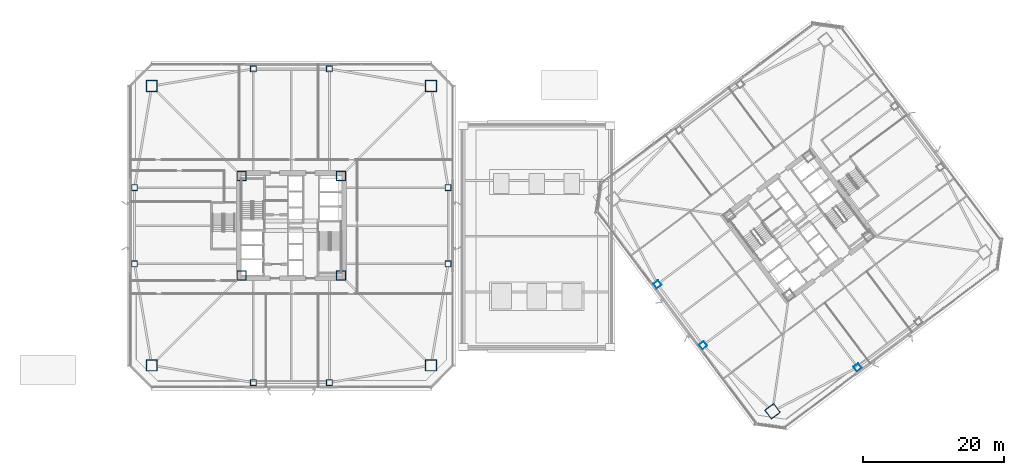
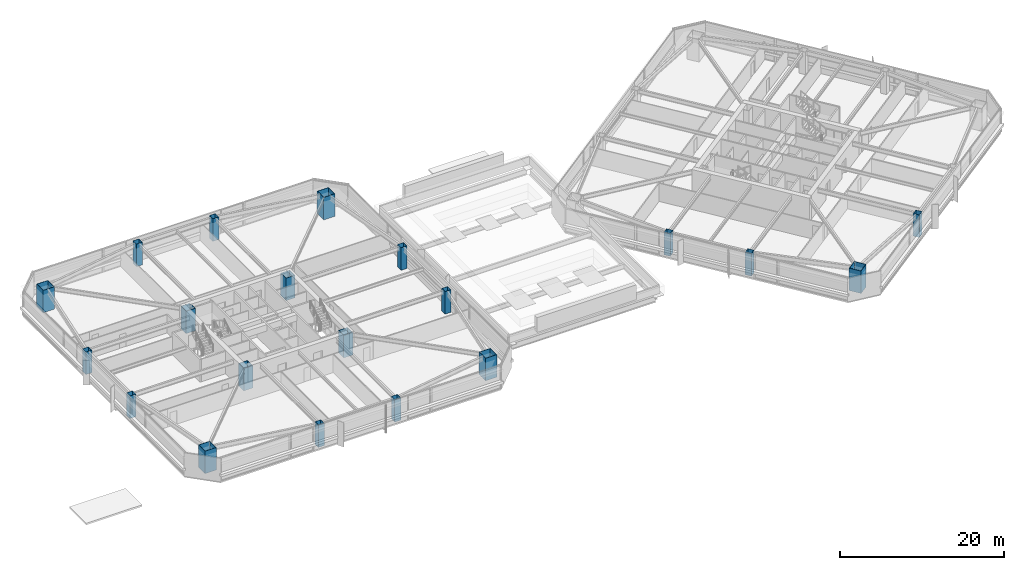
# One storey, part 1 of 62: 20 columns.
"""IFC4 building model written with IfcOpenShell, lengths in metres."""

from ifc_helpers import new_model, si_unit, direction, frame, origin, origin_2d, place, context, subcontext, project, spatial, hollow_rectangle, extrude, material, material_profile, profile_set, type_object, element, save


model = new_model("IFC4")

# Units and contexts
model_context = context("Model", 3, precision=1e-05, world=origin(), true_north=direction((0.0, 1.0)))
body_context = subcontext(model_context, "Body", "Model", "MODEL_VIEW")
ifc_project = project(units=[si_unit("LENGTHUNIT", "METRE"), si_unit("AREAUNIT", "SQUARE_METRE"), si_unit("VOLUMEUNIT", "CUBIC_METRE"), si_unit("PLANEANGLEUNIT", "RADIAN"), si_unit("MASSUNIT", "GRAM", prefix="KILO")], contexts=[model_context])

# Site, building, storey
site_placement = place(None, origin())
site = spatial("IfcSite", under=ifc_project, at=site_placement, CompositionType="ELEMENT")
building_placement = place(site_placement, origin())
building = spatial("IfcBuilding", under=site, at=building_placement, Name="Tashvorn Skyway Center", CompositionType="ELEMENT")
storey_placement = place(building_placement, frame((0.0, 0.0, 28.14990234375)))
storey = spatial("IfcBuildingStorey", under=building, at=storey_placement, Name="L06", CompositionType="ELEMENT", Elevation=28.14990234375)

# Columns
ifc_material = material(Name="Steel ASTM A572 Grade 50", Category="steel")
ifc_material_profile_1 = material_profile(ifc_material, hollow_rectangle(XDim=1.300048828125, YDim=1.300048828125, WallThickness=0.050048828125, at=origin_2d()), Name="BOX1300x1300x50")
ifc_profile_set_1 = profile_set([ifc_material_profile_1], Name="Steel ASTM A572 Grade 50")
column_type_1 = type_object("IfcColumnType", Name="COL-BOX1300x1300x50", PredefinedType="COLUMN", material=ifc_profile_set_1)
for number, where, z_axis, x_axis, name in (
    (1, (34.949951171875, 24.949951171875, 0.0), (0.0, 0.0, 1.0), (1.0, 0.0, 0.0), "Tower 1 L06 Core Corner Column CC-SW"),
    (2, (49.050048828125, 24.949951171875, 0.0), (0.0, 0.0, 1.0), (1.0, 0.0, 0.0), "Tower 1 L06 Core Corner Column CC-SE"),
    (3, (49.050048828125, 39.050048828125, 0.0), (0.0, 0.0, 1.0), (1.0, 0.0, 0.0), "Tower 1 L06 Core Corner Column CC-NE"),
    (4, (34.949951171875, 39.050048828125, 0.0), (0.0, 0.0, 1.0), (1.0, 0.0, 0.0), "Tower 1 L06 Core Corner Column CC-NW"),
):
    element("IfcColumn", number, at=place(storey_placement, frame(where, z_axis=z_axis, x_axis=x_axis)), inside=storey, type_object=column_type_1, Name=name, PredefinedType="COLUMN", context=body_context, shape_type="SweptSolid", body=[
        extrude(hollow_rectangle(XDim=1.300048828125, YDim=1.300048828125, WallThickness=0.050048828125, at=origin_2d()), origin(), (0.0, 0.0, 1.0), 3.35009765625),
    ])
ifc_material_profile_2 = material_profile(ifc_material, hollow_rectangle(XDim=1.60009765625, YDim=1.60009765625, WallThickness=0.06005859375, at=origin_2d()), Name="BOX1600x1600x60")
ifc_profile_set_2 = profile_set([ifc_material_profile_2], Name="Steel ASTM A572 Grade 50")
column_type_2 = type_object("IfcColumnType", Name="COL-BOX1600x1600x60", PredefinedType="COLUMN", material=ifc_profile_set_2)
for number, where, z_axis, x_axis, name in (
    (5, (22.199951171875, 12.199951171875, 0.0), (0.0, 0.0, 1.0), (1.0, 0.0, 0.0), "Tower 1 L06 Mega-Column MC-SW"),
    (6, (61.800048828125, 12.199951171875, 0.0), (0.0, 0.0, 1.0), (1.0, 0.0, 0.0), "Tower 1 L06 Mega-Column MC-SE"),
    (7, (61.800048828125, 51.800048828125, 0.0), (0.0, 0.0, 1.0), (1.0, 0.0, 0.0), "Tower 1 L06 Mega-Column MC-NE"),
    (8, (22.199951171875, 51.800048828125, 0.0), (0.0, 0.0, 1.0), (1.0, 0.0, 0.0), "Tower 1 L06 Mega-Column MC-NW"),
    (9, (110.239990234375, 5.679931640625, 0.0), (0.0, 0.0, 1.0), (0.799999996291, 0.600000004945, 0.0), "Tower 2 L06 Mega-Column MC-SW"),
):
    element("IfcColumn", number, at=place(storey_placement, frame(where, z_axis=z_axis, x_axis=x_axis)), inside=storey, type_object=column_type_2, Name=name, PredefinedType="COLUMN", context=body_context, shape_type="SweptSolid", body=[
        extrude(hollow_rectangle(XDim=1.60009765625, YDim=1.60009765625, WallThickness=0.06005859375, at=origin_2d()), origin(), (0.0, 0.0, 1.0), 3.35009765625),
    ])
ifc_material_profile_3 = material_profile(ifc_material, hollow_rectangle(XDim=0.85009765625, YDim=0.85009765625, WallThickness=0.034912109375, at=origin_2d()), Name="BOX850x850x35")
ifc_profile_set_3 = profile_set([ifc_material_profile_3], Name="Steel ASTM A572 Grade 50")
column_type_3 = type_object("IfcColumnType", Name="COL-BOX850x850x35", PredefinedType="COLUMN", material=ifc_profile_set_3)
for number, where, z_axis, x_axis, name in (
    (10, (36.60009765625, 9.75, 0.0), (0.0, 0.0, 1.0), (1.0, 0.0, 0.0), "Tower 1 L06 Perimeter Column FC-S1"),
    (11, (47.39990234375, 9.75, 0.0), (0.0, 0.0, 1.0), (1.0, 0.0, 0.0), "Tower 1 L06 Perimeter Column FC-S2"),
    (12, (64.25, 26.60009765625, 0.0), (0.0, 0.0, 1.0), (1.0, 0.0, 0.0), "Tower 1 L06 Perimeter Column FC-E1"),
    (13, (64.25, 37.39990234375, 0.0), (0.0, 0.0, 1.0), (1.0, 0.0, 0.0), "Tower 1 L06 Perimeter Column FC-E2"),
    (14, (47.39990234375, 54.25, 0.0), (0.0, 0.0, 1.0), (1.0, 0.0, 0.0), "Tower 1 L06 Perimeter Column FC-N1"),
    (15, (36.60009765625, 54.25, 0.0), (0.0, 0.0, 1.0), (1.0, 0.0, 0.0), "Tower 1 L06 Perimeter Column FC-N2"),
    (16, (19.75, 37.39990234375, 0.0), (0.0, 0.0, 1.0), (1.0, 0.0, 0.0), "Tower 1 L06 Perimeter Column FC-W1"),
    (17, (19.75, 26.60009765625, 0.0), (0.0, 0.0, 1.0), (1.0, 0.0, 0.0), "Tower 1 L06 Perimeter Column FC-W2"),
    (18, (122.31005859375, 11.919921875, 0.0), (0.0, 0.0, 1.0), (0.799999996291, 0.600000004945, 0.0), "Tower 2 L06 Perimeter Column FC-S1"),
    (19, (93.919921875, 23.68994140625, 0.0), (0.0, 0.0, 1.0), (0.799999996291, 0.600000004945, 0.0), "Tower 2 L06 Perimeter Column FC-W1"),
    (20, (100.39990234375, 15.050048828125, 0.0), (0.0, 0.0, 1.0), (0.799999996291, 0.600000004945, 0.0), "Tower 2 L06 Perimeter Column FC-W2"),
):
    element("IfcColumn", number, at=place(storey_placement, frame(where, z_axis=z_axis, x_axis=x_axis)), inside=storey, type_object=column_type_3, Name=name, PredefinedType="COLUMN", context=body_context, shape_type="SweptSolid", body=[
        extrude(hollow_rectangle(XDim=0.85009765625, YDim=0.85009765625, WallThickness=0.034912109375, at=origin_2d()), origin(), (0.0, 0.0, 1.0), 3.35009765625),
    ])

save(model, "model.ifc")
